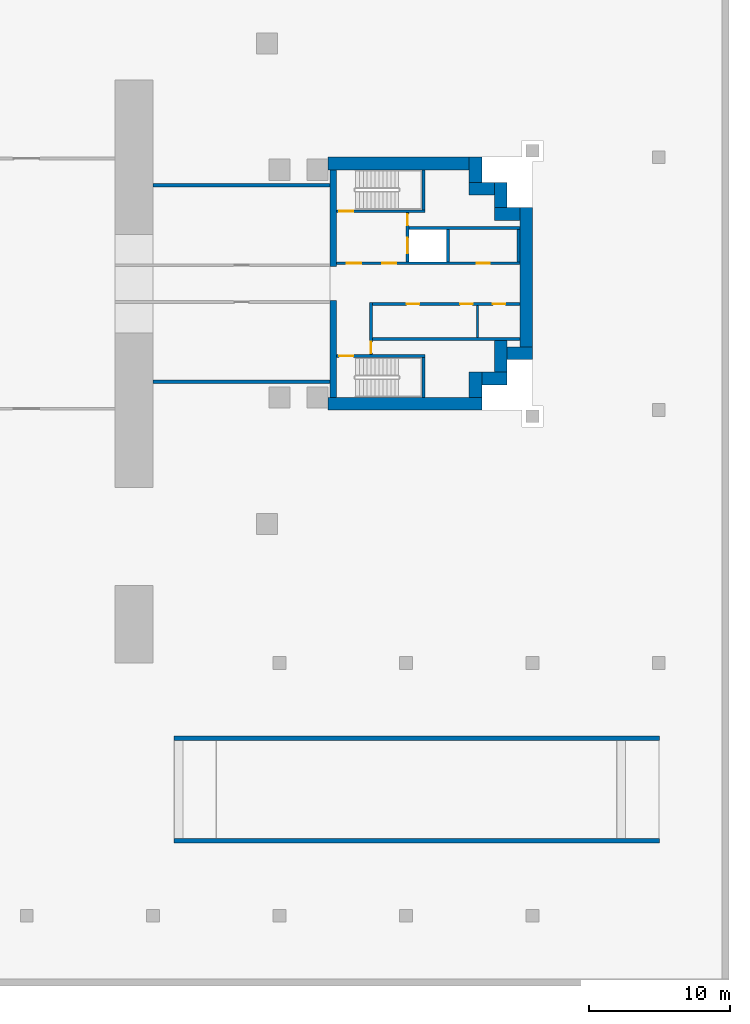
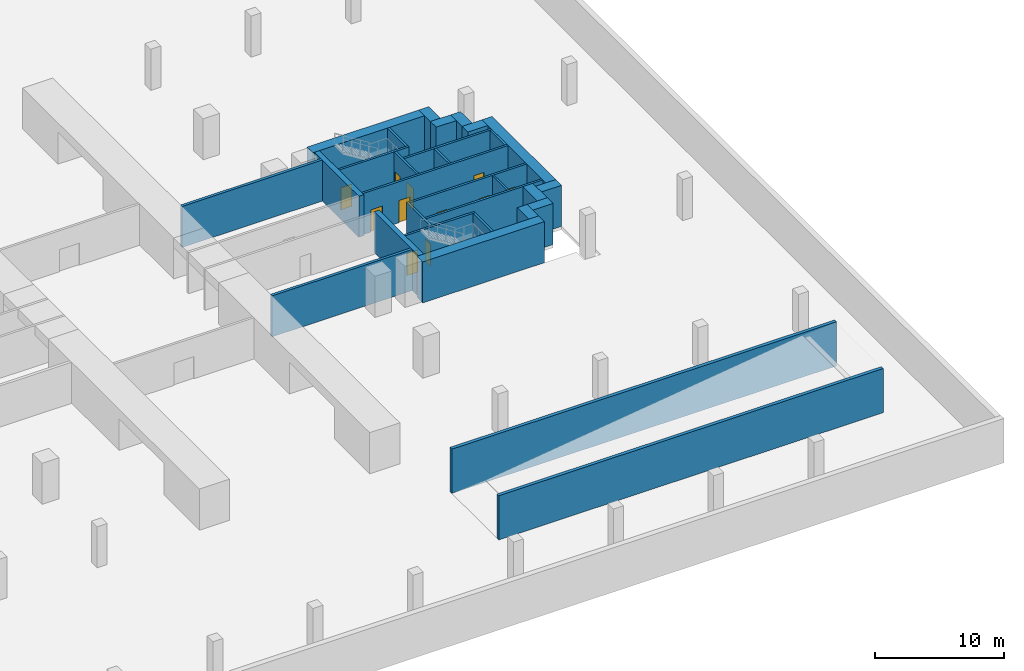
# One storey, part 5 of 8: 30 walls, 11 doors, 11 openings.
"""IFC4 building model written with IfcOpenShell, lengths in metres."""

import ifcopenshell
import ifcopenshell.guid

model = None  # the IFC model being written
_history = None  # IfcOwnerHistory: only IFC2X3 demands one
_inside = {}  # id of a spatial element -> (the spatial element, [elements in it])
_under = {}  # id of a project, library or spatial element -> (it, [spatial elements below it])
_declared = {}  # id of a project -> (the project, [libraries it declares])
_typed = {}  # id of a type object -> (the type object, [elements of that type])
_made_of = {}  # id of a material, layer set ... -> (it, [elements and type objects made of it])


def new_model(schema):
    """Start an empty IFC model of exactly this schema.

    Asked for "IFC4X3", IfcOpenShell would pick the latest addendum, in which some entities
    have other attributes; the version numbers below select the first issue.
    IFC2X3 requires an IfcOwnerHistory on every rooted entity: one is made here for all.
    """
    global model, _history
    if schema == "IFC4X3":
        model = ifcopenshell.file(schema_version=(4, 3, 0, 0))
    else:
        model = ifcopenshell.file(schema=schema)
    _inside.clear()
    _under.clear()
    _declared.clear()
    _typed.clear()
    _made_of.clear()
    _history = None
    if model.schema == "IFC2X3":
        org = make("IfcOrganization", Name="unknown")
        user = make(
            "IfcPersonAndOrganization",
            ThePerson=make("IfcPerson", FamilyName="unknown"),
            TheOrganization=org,
        )
        app = make(
            "IfcApplication",
            ApplicationDeveloper=org,
            Version="unknown",
            ApplicationFullName="unknown",
            ApplicationIdentifier="unknown",
        )
        _history = make(
            "IfcOwnerHistory",
            OwningUser=user,
            OwningApplication=app,
            ChangeAction="ADDED",
            CreationDate=0,
        )
    return model


def make(cls, **values):
    """One entity of the class cls with the attributes given. An attribute that is None is left unset."""
    return model.create_entity(
        cls, **{name: value for name, value in values.items() if value is not None}
    )


def rooted(cls, **values):
    """An entity with a GlobalId (a new one), such as an element, a storey or a relation."""
    return make(cls, GlobalId=ifcopenshell.guid.new(), OwnerHistory=_history, **values)


def si_unit(unit_type, name, prefix=None):
    """IfcSIUnit, for example si_unit("LENGTHUNIT", "METRE", prefix="MILLI")."""
    return make("IfcSIUnit", UnitType=unit_type, Prefix=prefix, Name=name)


def assignment(units):
    """IfcUnitAssignment: the units of a project."""
    return None if units is None else make("IfcUnitAssignment", Units=units)


def point(xyz):
    """IfcCartesianPoint."""
    return None if xyz is None else make("IfcCartesianPoint", Coordinates=xyz)


def direction(xyz):
    """IfcDirection."""
    return None if xyz is None else make("IfcDirection", DirectionRatios=xyz)


def frame(location, z_axis=None, x_axis=None):
    """IfcAxis2Placement3D, a coordinate frame: its origin and axes. An axis left out is left unset."""
    return make(
        "IfcAxis2Placement3D",
        Location=point(location),
        Axis=direction(z_axis),
        RefDirection=direction(x_axis),
    )


def frame_2d(location, x_axis=None):
    """IfcAxis2Placement2D, a coordinate frame in the plane: its origin and x axis."""
    return make(
        "IfcAxis2Placement2D", Location=point(location), RefDirection=direction(x_axis)
    )


def origin():
    """The frame at (0, 0, 0) with its axes left unset."""
    return frame((0.0, 0.0, 0.0))


def place(relative_to, where):
    """IfcLocalPlacement: puts the frame where relative to a parent placement (None: the world)."""
    return make(
        "IfcLocalPlacement", PlacementRelTo=relative_to, RelativePlacement=where
    )


def context(
    kind, dimensions, precision=None, world=None, true_north=None, identifier=None
):
    """IfcGeometricRepresentationContext, for example the 3D "Model" context."""
    return make(
        "IfcGeometricRepresentationContext",
        ContextIdentifier=identifier,
        ContextType=kind,
        CoordinateSpaceDimension=dimensions,
        Precision=precision,
        WorldCoordinateSystem=world,
        TrueNorth=true_north,
    )


def subcontext(parent, identifier, kind, view, scale=None):
    """IfcGeometricRepresentationSubContext, for example "Body" below "Model"."""
    return make(
        "IfcGeometricRepresentationSubContext",
        ContextIdentifier=identifier,
        ContextType=kind,
        ParentContext=parent,
        TargetScale=scale,
        TargetView=view,
    )


def project(units=None, contexts=None):
    """IfcProject with its units and contexts."""
    return rooted(
        "IfcProject",
        Name="project",
        RepresentationContexts=contexts,
        UnitsInContext=assignment(units),
    )


def spatial(cls, under=None, at=None, **own):
    """A site, building, storey or space (cls), placed at a placement, below another one or the project."""
    s = rooted(cls, ObjectPlacement=at, **own)
    if under is not None:
        _under.setdefault(under.id(), (under, []))[1].append(s)
    return s


def profile(cls, at=None, kind="AREA", **sizes):
    """A parametric profile (cls). Its sizes go by their IFC names, for example OverallWidth=200.0."""
    return make(cls, ProfileType=kind, Position=at, **sizes)


def rectangle(**sizes):
    """IfcRectangleProfileDef."""
    return profile("IfcRectangleProfileDef", **sizes)


def extrude(swept, where, along, depth):
    """IfcExtrudedAreaSolid: the profile swept, set in the frame where, extruded along a direction by depth."""
    return make(
        "IfcExtrudedAreaSolid",
        SweptArea=swept,
        Position=where,
        ExtrudedDirection=direction(along),
        Depth=depth,
    )


def shape(context_of_items, identifier, shape_type, items):
    """IfcShapeRepresentation: the items that make up one representation, for example the "Body"."""
    return make(
        "IfcShapeRepresentation",
        ContextOfItems=context_of_items,
        RepresentationIdentifier=identifier,
        RepresentationType=shape_type,
        Items=items,
    )


def material(Name=None, Category=None):
    """IfcMaterial."""
    return make("IfcMaterial", Name=Name, Category=Category)


def layer(
    of_material, thickness, ventilated=None, Name=None, Category=None, Priority=None
):
    """IfcMaterialLayer: one layer of a wall or slab, of a material (None: an air gap)."""
    return make(
        "IfcMaterialLayer",
        Material=of_material,
        LayerThickness=thickness,
        IsVentilated=ventilated,
        Name=Name,
        Category=Category,
        Priority=Priority,
    )


def layer_set(layers, Name=None):
    """IfcMaterialLayerSet."""
    return make("IfcMaterialLayerSet", MaterialLayers=layers, LayerSetName=Name)


def made_of(thing, what):
    """Note that an element or type object is made of a material, layer set ...; save() writes the relation."""
    if what is not None:
        _made_of.setdefault(what.id(), (what, []))[1].append(thing)
    return thing


def type_object(cls, material=None, **own):
    """A type object (cls), such as IfcWallType, which elements share."""
    return made_of(rooted(cls, **own), material)


def element(
    cls,
    number,
    at=None,
    inside=None,
    cuts=None,
    type_object=None,
    material=None,
    context=None,
    identifier="Body",
    shape_type=None,
    held_by="IfcProductDefinitionShape",
    body=None,
    shapes=None,
    **own,
):
    """One element of the class cls, such as IfcWall. Its Tag is "e" and its number.

    at: its placement. inside: the storey or other place that contains it. cuts: it is an
    opening in that element (IfcRelVoidsElement). A single representation is given by context,
    identifier, shape_type and body (its items); several are given by shapes. held_by: the class
    of the entity that holds the representations. save() writes the other relations.
    """
    e = rooted(cls, Tag="e%d" % number, ObjectPlacement=at, **own)
    if body is not None:
        shapes = [shape(context, identifier, shape_type, body)]
    if shapes is not None:
        e.Representation = make(held_by, Representations=shapes)
    if inside is not None:
        _inside.setdefault(inside.id(), (inside, []))[1].append(e)
    if cuts is not None:
        rooted(
            "IfcRelVoidsElement", RelatingBuildingElement=cuts, RelatedOpeningElement=e
        )
    if type_object is not None:
        _typed.setdefault(type_object.id(), (type_object, []))[1].append(e)
    return made_of(e, material)


def fill(opening, filler):
    """IfcRelFillsElement: the door or window that sits in an opening."""
    return rooted(
        "IfcRelFillsElement",
        RelatingOpeningElement=opening,
        RelatedBuildingElement=filler,
    )


def aggregate(whole, parts):
    """IfcRelAggregates: a whole, such as a stair, and the parts it consists of."""
    return rooted("IfcRelAggregates", RelatingObject=whole, RelatedObjects=parts)


def save(model, path):
    """Write the relations noted so far, then the file.

    IfcRelAggregates (storeys below a building ...), IfcRelContainedInSpatialStructure (elements
    in a storey), IfcRelDefinesByType, IfcRelAssociatesMaterial and IfcRelDeclares: one each for
    every whole, place, type object, material and project.
    """
    for whole, parts in _under.values():
        aggregate(whole, parts)
    for where, things in _inside.values():
        rooted(
            "IfcRelContainedInSpatialStructure",
            RelatedElements=things,
            RelatingStructure=where,
        )
    for kind, things in _typed.values():
        rooted("IfcRelDefinesByType", RelatedObjects=things, RelatingType=kind)
    for what, things in _made_of.values():
        rooted("IfcRelAssociatesMaterial", RelatedObjects=things, RelatingMaterial=what)
    for by, libraries in _declared.values():
        rooted("IfcRelDeclares", RelatingContext=by, RelatedDefinitions=libraries)
    model.write(path)


model = new_model("IFC4")

# Units and contexts
model_context = context("Model", 3, precision=1e-05, world=origin(), true_north=direction((0.0, 1.0)))
body_context = subcontext(model_context, "Body", "Model", "MODEL_VIEW")
ifc_project = project(units=[si_unit("LENGTHUNIT", "METRE"), si_unit("AREAUNIT", "SQUARE_METRE"), si_unit("VOLUMEUNIT", "CUBIC_METRE"), si_unit("PLANEANGLEUNIT", "RADIAN"), si_unit("MASSUNIT", "GRAM", prefix="KILO")], contexts=[model_context])

# Site, building, storey
site_placement = place(None, origin())
site = spatial("IfcSite", under=ifc_project, at=site_placement, CompositionType="ELEMENT")
building_placement = place(site_placement, origin())
building = spatial("IfcBuilding", under=site, at=building_placement, Name="Perihelion Cross Residences", CompositionType="ELEMENT")
storey_placement = place(building_placement, frame((0.0, 0.0, -12.89990234375)))
storey = spatial("IfcBuildingStorey", under=building, at=storey_placement, Name="B3", CompositionType="ELEMENT", Elevation=-12.89990234375)

# Walls
ifc_material_1 = material(Name="Concrete C40/50", Category="concrete")
ifc_layer_1 = layer(ifc_material_1, 0.25)
ifc_layer_set_1 = layer_set([ifc_layer_1], Name="Basement enclosure wall 250")
wall_type_1 = type_object("IfcWallType", Name="Basement enclosure wall 250", PredefinedType="SOLIDWALL", material=ifc_layer_set_1)
for number, where, z_axis, x_axis, name in (
    (1, (9.0, 7.0, 0.0), (0.0, 0.0, 1.0), (1.0, 0.0, 0.0), "Basement enclosure wall B3 e.encl.n"),
    (2, (9.0, -7.0, 0.0), (0.0, 0.0, 1.0), (1.0, 0.0, 0.0), "Basement enclosure wall B3 e.encl.s"),
):
    element("IfcWall", number, at=place(storey_placement, frame(where, z_axis=z_axis, x_axis=x_axis)), inside=storey, type_object=wall_type_1, Name=name, PredefinedType="SOLIDWALL", context=body_context, shape_type="SweptSolid", body=[
        extrude(rectangle(XDim=12.60009765625, YDim=0.25, at=frame_2d((6.300048828125, 0.0))), origin(), (0.0, 0.0, 1.0), 3.89990234375),
    ])
ifc_material_2 = material(Name="Concrete C60/75", Category="concrete")
ifc_layer_2 = layer(ifc_material_2, 0.449951171875)
ifc_layer_set_2 = layer_set([ifc_layer_2], Name="Core wall, inner 450")
wall_type_2 = type_object("IfcWallType", Name="Core wall, inner 450", PredefinedType="SHEAR", material=ifc_layer_set_2)
for number, where, z_axis, x_axis, name in (
    (3, (21.824951171875, -8.10009765625, 0.0), (0.0, 0.0, 1.0), (0.0, 1.0, 0.0), "East core core wall, inner"),
    (4, (21.824951171875, 1.199951171875, 0.0), (0.0, 0.0, 1.0), (0.0, 1.0, 0.0), "East core core wall, inner"),
):
    element("IfcWall", number, at=place(storey_placement, frame(where, z_axis=z_axis, x_axis=x_axis)), inside=storey, type_object=wall_type_2, Name=name, PredefinedType="SHEAR", context=body_context, shape_type="SweptSolid", body=[
        extrude(rectangle(XDim=6.900146484375, YDim=0.449951171875, at=frame_2d((3.4501953125, 0.0))), origin(), (0.0, 0.0, 1.0), 3.89990234375),
    ])
ifc_material_3 = material(Name="Concrete C60/75", Category="concrete")
ifc_layer_3 = layer(ifc_material_3, 0.89990234375)
ifc_layer_set_3 = layer_set([ifc_layer_3], Name="Core wall, outer 900")
wall_type_3 = type_object("IfcWallType", Name="Core wall, outer 900", PredefinedType="SHEAR", material=ifc_layer_set_3)
wall_1_placement = place(storey_placement, frame((21.449951171875, -8.550048828125, 0.0), z_axis=(0.0, 0.0, 1.0), x_axis=(1.0, 0.0, 0.0)))
element("IfcWall", 5, at=wall_1_placement, inside=storey, type_object=wall_type_3, Name="East core core wall, outer", PredefinedType="SHEAR", context=body_context, shape_type="SweptSolid", body=[
    extrude(rectangle(XDim=10.949951171875, YDim=0.89990234375, at=frame_2d((5.47509765625, 0.0))), origin(), (0.0, 0.0, 1.0), 3.89990234375),
])
for number, where, z_axis, x_axis, name in (
    (6, (31.949951171875, -8.10009765625, 0.0), (0.0, 0.0, 1.0), (0.0, 1.0, 0.0), "East core core wall, outer"),
    (7, (32.39990234375, -6.75, 0.0), (0.0, 0.0, 1.0), (1.0, 0.0, 0.0), "East core core wall, outer"),
):
    element("IfcWall", number, at=place(storey_placement, frame(where, z_axis=z_axis, x_axis=x_axis)), inside=storey, type_object=wall_type_3, Name=name, PredefinedType="SHEAR", context=body_context, shape_type="SweptSolid", body=[
        extrude(rectangle(XDim=1.800048828125, YDim=0.89990234375, at=frame_2d((0.89990234375, 0.0))), origin(), (0.0, 0.0, 1.0), 3.89990234375),
    ])
wall_2_placement = place(storey_placement, frame((33.75, -6.300048828125, 0.0), z_axis=(0.0, 0.0, 1.0), x_axis=(0.0, 1.0, 0.0)))
element("IfcWall", 8, at=wall_2_placement, inside=storey, type_object=wall_type_3, Name="East core core wall, outer", PredefinedType="SHEAR", context=body_context, shape_type="SweptSolid", body=[
    extrude(rectangle(XDim=2.25, YDim=0.89990234375, at=frame_2d((1.125, 0.0))), origin(), (0.0, 0.0, 1.0), 3.89990234375),
])
wall_3_placement = place(storey_placement, frame((34.199951171875, -4.949951171875, 0.0), z_axis=(0.0, 0.0, 1.0), x_axis=(1.0, 0.0, 0.0)))
element("IfcWall", 9, at=wall_3_placement, inside=storey, type_object=wall_type_3, Name="East core core wall, outer", PredefinedType="SHEAR", context=body_context, shape_type="SweptSolid", body=[
    extrude(rectangle(XDim=1.800048828125, YDim=0.89990234375, at=frame_2d((0.89990234375, 0.0))), origin(), (0.0, 0.0, 1.0), 3.89990234375),
])
wall_4_placement = place(storey_placement, frame((35.550048828125, -4.5, 0.0), z_axis=(0.0, 0.0, 1.0), x_axis=(0.0, 1.0, 0.0)))
element("IfcWall", 10, at=wall_4_placement, inside=storey, type_object=wall_type_3, Name="East core core wall, outer", PredefinedType="SHEAR", context=body_context, shape_type="SweptSolid", body=[
    extrude(rectangle(XDim=9.89990234375, YDim=0.89990234375, at=frame_2d((4.949951171875, 0.0))), origin(), (0.0, 0.0, 1.0), 3.89990234375),
])
for number, where, z_axis, x_axis, name in (
    (11, (33.300048828125, 4.949951171875, 0.0), (0.0, 0.0, 1.0), (1.0, 0.0, 0.0), "East core core wall, outer"),
    (12, (33.75, 5.39990234375, 0.0), (0.0, 0.0, 1.0), (0.0, 1.0, 0.0), "East core core wall, outer"),
    (13, (31.5, 6.75, 0.0), (0.0, 0.0, 1.0), (1.0, 0.0, 0.0), "East core core wall, outer"),
    (14, (31.949951171875, 7.199951171875, 0.0), (0.0, 0.0, 1.0), (0.0, 1.0, 0.0), "East core core wall, outer"),
):
    element("IfcWall", number, at=place(storey_placement, frame(where, z_axis=z_axis, x_axis=x_axis)), inside=storey, type_object=wall_type_3, Name=name, PredefinedType="SHEAR", context=body_context, shape_type="SweptSolid", body=[
        extrude(rectangle(XDim=1.800048828125, YDim=0.89990234375, at=frame_2d((0.89990234375, 0.0))), origin(), (0.0, 0.0, 1.0), 3.89990234375),
    ])
wall_5_placement = place(storey_placement, frame((21.449951171875, 8.550048828125, 0.0), z_axis=(0.0, 0.0, 1.0), x_axis=(1.0, 0.0, 0.0)))
element("IfcWall", 15, at=wall_5_placement, inside=storey, type_object=wall_type_3, Name="East core core wall, outer", PredefinedType="SHEAR", context=body_context, shape_type="SweptSolid", body=[
    extrude(rectangle(XDim=10.050048828125, YDim=0.89990234375, at=frame_2d((5.02490234375, 0.0))), origin(), (0.0, 0.0, 1.0), 3.89990234375),
])

# Wall, opening, door
ifc_material_4 = material(Name="Concrete C50/60", Category="concrete")
ifc_layer_4 = layer(ifc_material_4, 0.199951171875)
ifc_layer_set_4 = layer_set([ifc_layer_4], Name="Lobby wall 200")
wall_type_4 = type_object("IfcWallType", Name="Lobby wall 200", PredefinedType="SOLIDWALL", material=ifc_layer_set_4)
wall_6_placement = place(storey_placement, frame((24.5, -5.050048828125, 0.0), z_axis=(0.0, 0.0, 1.0), x_axis=(0.0, 1.0, 0.0)))
wall_6 = element("IfcWall", 16, at=wall_6_placement, inside=storey, type_object=wall_type_4, Name="East core lobby wall", PredefinedType="SOLIDWALL", context=body_context, shape_type="SweptSolid", body=[
    extrude(rectangle(XDim=3.699951171875, YDim=0.199951171875, at=frame_2d((1.85009765625, 0.0))), origin(), (0.0, 0.0, 1.0), 3.89990234375),
])
opening_1_placement = place(wall_6_placement, frame((0.10009765625, 0.0, 0.0)))
opening_1 = element("IfcOpeningElement", 17, at=opening_1_placement, cuts=wall_6, Name="Opening B3.C05", PredefinedType="OPENING", context=body_context, shape_type="SweptSolid", body=[
    extrude(rectangle(XDim=0.800048828125, YDim=2.10009765625, at=frame_2d((0.39990234375, 1.050048828125))), frame((0.0, 0.10986328125, 0.0), z_axis=(0.0, -1.0, 0.0), x_axis=(1.0, 0.0, 0.0)), (0.0, 0.0, 1.0), 0.219970703125),
])
ifc_material_5 = material(Name="Steel, powder coated", Category="steel")
door_type_1 = type_object("IfcDoorType", Name="Riser door 800", OperationType="SINGLE_SWING_LEFT", PredefinedType="DOOR", material=ifc_material_5)
door_1_placement = place(opening_1_placement, origin())
door_1 = element("IfcDoor", 18, at=door_1_placement, inside=storey, type_object=door_type_1, Name="East core riser door", OperationType="SINGLE_SWING_LEFT", OverallHeight=2.10009765625, OverallWidth=0.800048828125, PredefinedType="DOOR", context=body_context, shape_type="SweptSolid", body=[
    extrude(rectangle(XDim=0.800048828125, YDim=2.10009765625, at=frame_2d((0.39990234375, 1.050048828125))), frame((0.0, 0.02490234375, 0.0), z_axis=(0.0, -1.0, 0.0), x_axis=(1.0, 0.0, 0.0)), (0.0, 0.0, 1.0), 0.050048828125),
])
fill(opening_1, door_1)

# Walls
ifc_material_6 = material(Name="Concrete C40/50", Category="concrete")
ifc_layer_5 = layer(ifc_material_6, 0.300048828125)
ifc_layer_set_5 = layer_set([ifc_layer_5], Name="Ramp side wall 300")
wall_type_5 = type_object("IfcWallType", Name="Ramp side wall 300", PredefinedType="SOLIDWALL", material=ifc_layer_set_5)
for number, where, z_axis, x_axis, name in (
    (19, (10.5, -39.64990234375, 0.0), (0.0, 0.0, 1.0), (1.0, 0.0, 0.0), "Ramp side wall B3 s"),
    (20, (10.5, -32.35009765625, 0.0), (0.0, 0.0, 1.0), (1.0, 0.0, 0.0), "Ramp side wall B3 n"),
):
    element("IfcWall", number, at=place(storey_placement, frame(where, z_axis=z_axis, x_axis=x_axis)), inside=storey, type_object=wall_type_5, Name=name, PredefinedType="SOLIDWALL", context=body_context, shape_type="SweptSolid", body=[
        extrude(rectangle(XDim=34.550048828125, YDim=0.300048828125, at=frame_2d((17.27490234375, 0.0))), origin(), (0.0, 0.0, 1.0), 4.199951171875),
    ])
ifc_material_7 = material(Name="Fire-rated board on steel stud", Category="steel")
ifc_layer_6 = layer(ifc_material_7, 0.14990234375)
ifc_layer_set_6 = layer_set([ifc_layer_6], Name="Riser wall 150")
wall_type_6 = type_object("IfcWallType", Name="Riser wall 150", PredefinedType="PARTITIONING", material=ifc_layer_set_6)
wall_7_placement = place(storey_placement, frame((32.074951171875, -3.85009765625, 0.0), z_axis=(0.0, 0.0, 1.0), x_axis=(0.0, 1.0, 0.0)))
element("IfcWall", 21, at=wall_7_placement, inside=storey, type_object=wall_type_6, Name="East core riser wall", PredefinedType="PARTITIONING", context=body_context, shape_type="SweptSolid", body=[
    extrude(rectangle(XDim=2.300048828125, YDim=0.14990234375, at=frame_2d((1.14990234375, 0.0))), origin(), (0.0, 0.0, 1.0), 3.89990234375),
])

# Wall, openings, doors
ifc_material_8 = material(Name="Concrete C50/60", Category="concrete")
ifc_layer_7 = layer(ifc_material_8, 0.199951171875)
ifc_layer_set_7 = layer_set([ifc_layer_7], Name="Shaft wall 200")
wall_type_7 = type_object("IfcWallType", Name="Shaft wall 200", PredefinedType="SOLIDWALL", material=ifc_layer_set_7)
wall_8_placement = place(storey_placement, frame((22.050048828125, 1.449951171875, 0.0), z_axis=(0.0, 0.0, 1.0), x_axis=(1.0, 0.0, 0.0)))
wall_8 = element("IfcWall", 22, at=wall_8_placement, inside=storey, type_object=wall_type_7, Name="East core shaft wall", PredefinedType="SOLIDWALL", context=body_context, shape_type="SweptSolid", body=[
    extrude(rectangle(XDim=13.050048828125, YDim=0.199951171875, at=frame_2d((6.52490234375, 0.0))), origin(), (0.0, 0.0, 1.0), 3.89990234375),
])
opening_2_placement = place(wall_8_placement, frame((0.75, 0.0, 0.0)))
opening_2 = element("IfcOpeningElement", 23, at=opening_2_placement, cuts=wall_8, Name="Opening B3.C04", PredefinedType="OPENING", context=body_context, shape_type="SweptSolid", body=[
    extrude(rectangle(XDim=1.0, YDim=2.10009765625, at=frame_2d((0.5, 1.050048828125))), frame((0.0, 0.10986328125, 0.0), z_axis=(0.0, -1.0, 0.0), x_axis=(1.0, 0.0, 0.0)), (0.0, 0.0, 1.0), 0.219970703125),
])
opening_3_placement = place(wall_8_placement, frame((3.25, 0.0, 0.0)))
opening_3 = element("IfcOpeningElement", 24, at=opening_3_placement, cuts=wall_8, Name="Opening B3.C06", PredefinedType="OPENING", context=body_context, shape_type="SweptSolid", body=[
    extrude(rectangle(XDim=1.0, YDim=2.10009765625, at=frame_2d((0.5, 1.050048828125))), frame((0.0, 0.10986328125, 0.0), z_axis=(0.0, -1.0, 0.0), x_axis=(1.0, 0.0, 0.0)), (0.0, 0.0, 1.0), 0.219970703125),
])
opening_4_placement = place(wall_8_placement, frame((10.0, 0.0, 0.0)))
opening_4 = element("IfcOpeningElement", 25, at=opening_4_placement, cuts=wall_8, Name="Opening B3.C10", PredefinedType="OPENING", context=body_context, shape_type="SweptSolid", body=[
    extrude(rectangle(XDim=0.89990234375, YDim=2.10009765625, at=frame_2d((0.449951171875, 1.050048828125))), frame((0.0, 0.10986328125, 0.0), z_axis=(0.0, -1.0, 0.0), x_axis=(1.0, 0.0, 0.0)), (0.0, 0.0, 1.0), 0.219970703125),
])
ifc_material_9 = material(Name="Steel, powder coated", Category="steel")
door_type_2 = type_object("IfcDoorType", Name="Lobby door 1000", OperationType="SINGLE_SWING_LEFT", PredefinedType="DOOR", material=ifc_material_9)
door_2_placement = place(opening_2_placement, origin())
door_2 = element("IfcDoor", 26, at=door_2_placement, inside=storey, type_object=door_type_2, Name="East core firefighting lobby door", OperationType="SINGLE_SWING_LEFT", OverallHeight=2.10009765625, OverallWidth=1.0, PredefinedType="DOOR", context=body_context, shape_type="SweptSolid", body=[
    extrude(rectangle(XDim=1.0, YDim=2.10009765625, at=frame_2d((0.5, 1.050048828125))), frame((0.0, 0.02490234375, 0.0), z_axis=(0.0, -1.0, 0.0), x_axis=(1.0, 0.0, 0.0)), (0.0, 0.0, 1.0), 0.050048828125),
])
fill(opening_2, door_2)
door_3_placement = place(opening_3_placement, origin())
door_3 = element("IfcDoor", 27, at=door_3_placement, inside=storey, type_object=door_type_2, Name="East core firefighting lobby door", OperationType="SINGLE_SWING_LEFT", OverallHeight=2.10009765625, OverallWidth=1.0, PredefinedType="DOOR", context=body_context, shape_type="SweptSolid", body=[
    extrude(rectangle(XDim=1.0, YDim=2.10009765625, at=frame_2d((0.5, 1.050048828125))), frame((0.0, 0.02490234375, 0.0), z_axis=(0.0, -1.0, 0.0), x_axis=(1.0, 0.0, 0.0)), (0.0, 0.0, 1.0), 0.050048828125),
])
fill(opening_3, door_3)
ifc_material_10 = material(Name="Steel, powder coated", Category="steel")
door_type_3 = type_object("IfcDoorType", Name="Service room door 900", OperationType="SINGLE_SWING_LEFT", PredefinedType="DOOR", material=ifc_material_10)
door_4_placement = place(opening_4_placement, origin())
door_4 = element("IfcDoor", 28, at=door_4_placement, inside=storey, type_object=door_type_3, Name="East core service room door", OperationType="SINGLE_SWING_LEFT", OverallHeight=2.10009765625, OverallWidth=0.89990234375, PredefinedType="DOOR", context=body_context, shape_type="SweptSolid", body=[
    extrude(rectangle(XDim=0.89990234375, YDim=2.10009765625, at=frame_2d((0.449951171875, 1.050048828125))), frame((0.0, 0.02490234375, 0.0), z_axis=(0.0, -1.0, 0.0), x_axis=(1.0, 0.0, 0.0)), (0.0, 0.0, 1.0), 0.050048828125),
])
fill(opening_4, door_4)

wall_9_placement = place(storey_placement, frame((24.60009765625, -1.449951171875, 0.0), z_axis=(0.0, 0.0, 1.0), x_axis=(1.0, 0.0, 0.0)))
wall_9 = element("IfcWall", 29, at=wall_9_placement, inside=storey, type_object=wall_type_7, Name="East core shaft wall", PredefinedType="SOLIDWALL", context=body_context, shape_type="SweptSolid", body=[
    extrude(rectangle(XDim=10.5, YDim=0.199951171875, at=frame_2d((5.25, 0.0))), origin(), (0.0, 0.0, 1.0), 3.89990234375),
])
opening_5_placement = place(wall_9_placement, frame((2.449951171875, 0.0, 0.0)))
opening_5 = element("IfcOpeningElement", 30, at=opening_5_placement, cuts=wall_9, Name="Opening B3.C08", PredefinedType="OPENING", context=body_context, shape_type="SweptSolid", body=[
    extrude(rectangle(XDim=0.89990234375, YDim=2.10009765625, at=frame_2d((0.449951171875, 1.050048828125))), frame((0.0, 0.10986328125, 0.0), z_axis=(0.0, -1.0, 0.0), x_axis=(1.0, 0.0, 0.0)), (0.0, 0.0, 1.0), 0.219970703125),
])
opening_6_placement = place(wall_9_placement, frame((6.25, 0.0, 0.0)))
opening_6 = element("IfcOpeningElement", 31, at=opening_6_placement, cuts=wall_9, Name="Opening B3.C09", PredefinedType="OPENING", context=body_context, shape_type="SweptSolid", body=[
    extrude(rectangle(XDim=0.89990234375, YDim=2.10009765625, at=frame_2d((0.449951171875, 1.050048828125))), frame((0.0, 0.10986328125, 0.0), z_axis=(0.0, -1.0, 0.0), x_axis=(1.0, 0.0, 0.0)), (0.0, 0.0, 1.0), 0.219970703125),
])
opening_7_placement = place(wall_9_placement, frame((8.574951171875, 0.0, 0.0)))
opening_7 = element("IfcOpeningElement", 32, at=opening_7_placement, cuts=wall_9, Name="Opening B3.C11", PredefinedType="OPENING", context=body_context, shape_type="SweptSolid", body=[
    extrude(rectangle(XDim=0.89990234375, YDim=2.10009765625, at=frame_2d((0.449951171875, 1.050048828125))), frame((0.0, 0.10986328125, 0.0), z_axis=(0.0, -1.0, 0.0), x_axis=(1.0, 0.0, 0.0)), (0.0, 0.0, 1.0), 0.219970703125),
])
door_5_placement = place(opening_5_placement, origin())
door_5 = element("IfcDoor", 33, at=door_5_placement, inside=storey, type_object=door_type_3, Name="East core service room door", OperationType="SINGLE_SWING_LEFT", OverallHeight=2.10009765625, OverallWidth=0.89990234375, PredefinedType="DOOR", context=body_context, shape_type="SweptSolid", body=[
    extrude(rectangle(XDim=0.89990234375, YDim=2.10009765625, at=frame_2d((0.449951171875, 1.050048828125))), frame((0.0, 0.02490234375, 0.0), z_axis=(0.0, -1.0, 0.0), x_axis=(1.0, 0.0, 0.0)), (0.0, 0.0, 1.0), 0.050048828125),
])
fill(opening_5, door_5)
door_6_placement = place(opening_6_placement, origin())
door_6 = element("IfcDoor", 34, at=door_6_placement, inside=storey, type_object=door_type_3, Name="East core service room door", OperationType="SINGLE_SWING_LEFT", OverallHeight=2.10009765625, OverallWidth=0.89990234375, PredefinedType="DOOR", context=body_context, shape_type="SweptSolid", body=[
    extrude(rectangle(XDim=0.89990234375, YDim=2.10009765625, at=frame_2d((0.449951171875, 1.050048828125))), frame((0.0, 0.02490234375, 0.0), z_axis=(0.0, -1.0, 0.0), x_axis=(1.0, 0.0, 0.0)), (0.0, 0.0, 1.0), 0.050048828125),
])
fill(opening_6, door_6)
door_7_placement = place(opening_7_placement, origin())
door_7 = element("IfcDoor", 35, at=door_7_placement, inside=storey, type_object=door_type_3, Name="East core service room door", OperationType="SINGLE_SWING_LEFT", OverallHeight=2.10009765625, OverallWidth=0.89990234375, PredefinedType="DOOR", context=body_context, shape_type="SweptSolid", body=[
    extrude(rectangle(XDim=0.89990234375, YDim=2.10009765625, at=frame_2d((0.449951171875, 1.050048828125))), frame((0.0, 0.02490234375, 0.0), z_axis=(0.0, -1.0, 0.0), x_axis=(1.0, 0.0, 0.0)), (0.0, 0.0, 1.0), 0.050048828125),
])
fill(opening_7, door_7)

# Walls
wall_10_placement = place(storey_placement, frame((27.199951171875, 3.949951171875, 0.0), z_axis=(0.0, 0.0, 1.0), x_axis=(1.0, 0.0, 0.0)))
element("IfcWall", 36, at=wall_10_placement, inside=storey, type_object=wall_type_7, Name="East core shaft wall", PredefinedType="SOLIDWALL", context=body_context, shape_type="SweptSolid", body=[
    extrude(rectangle(XDim=7.900146484375, YDim=0.199951171875, at=frame_2d((3.9501953125, 0.0))), origin(), (0.0, 0.0, 1.0), 3.89990234375),
])
wall_11_placement = place(storey_placement, frame((24.60009765625, -3.949951171875, 0.0), z_axis=(0.0, 0.0, 1.0), x_axis=(1.0, 0.0, 0.0)))
element("IfcWall", 37, at=wall_11_placement, inside=storey, type_object=wall_type_7, Name="East core shaft wall", PredefinedType="SOLIDWALL", context=body_context, shape_type="SweptSolid", body=[
    extrude(rectangle(XDim=10.5, YDim=0.199951171875, at=frame_2d((5.25, 0.0))), origin(), (0.0, 0.0, 1.0), 3.89990234375),
])

# Wall, openings, doors
wall_12_placement = place(storey_placement, frame((27.10009765625, 1.550048828125, 0.0), z_axis=(0.0, 0.0, 1.0), x_axis=(0.0, 1.0, 0.0)))
wall_12 = element("IfcWall", 38, at=wall_12_placement, inside=storey, type_object=wall_type_7, Name="East core shaft wall", PredefinedType="SOLIDWALL", context=body_context, shape_type="SweptSolid", body=[
    extrude(rectangle(XDim=3.5, YDim=0.199951171875, at=frame_2d((1.75, 0.0))), origin(), (0.0, 0.0, 1.0), 3.89990234375),
])
opening_8_placement = place(wall_12_placement, frame((0.60009765625, 0.0, 0.0)))
opening_8 = element("IfcOpeningElement", 39, at=opening_8_placement, cuts=wall_12, Name="Opening B3.C01", PredefinedType="OPENING", context=body_context, shape_type="SweptSolid", body=[
    extrude(rectangle(XDim=1.10009765625, YDim=2.10009765625, at=frame_2d((0.550048828125, 1.050048828125))), frame((0.0, 0.10986328125, 0.0), z_axis=(0.0, -1.0, 0.0), x_axis=(1.0, 0.0, 0.0)), (0.0, 0.0, 1.0), 0.219970703125),
])
opening_9_placement = place(wall_12_placement, frame((2.60009765625, 0.0, 0.0)))
opening_9 = element("IfcOpeningElement", 40, at=opening_9_placement, cuts=wall_12, Name="Opening B3.C07", PredefinedType="OPENING", context=body_context, shape_type="SweptSolid", body=[
    extrude(rectangle(XDim=0.800048828125, YDim=2.10009765625, at=frame_2d((0.39990234375, 1.050048828125))), frame((0.0, 0.10986328125, 0.0), z_axis=(0.0, -1.0, 0.0), x_axis=(1.0, 0.0, 0.0)), (0.0, 0.0, 1.0), 0.219970703125),
])
ifc_material_11 = material(Name="Stainless steel", Category="steel")
door_type_4 = type_object("IfcDoorType", Name="Landing door, firefighting lift 1100", OperationType="DOUBLE_DOOR_SLIDING", PredefinedType="DOOR", material=ifc_material_11)
door_8_placement = place(opening_8_placement, origin())
door_8 = element("IfcDoor", 41, at=door_8_placement, inside=storey, type_object=door_type_4, Name="Landing door, East core firefighting and service lift", OperationType="DOUBLE_DOOR_SLIDING", OverallHeight=2.10009765625, OverallWidth=1.10009765625, PredefinedType="DOOR", context=body_context, shape_type="SweptSolid", body=[
    extrude(rectangle(XDim=1.10009765625, YDim=2.10009765625, at=frame_2d((0.550048828125, 1.050048828125))), frame((0.0, 0.02490234375, 0.0), z_axis=(0.0, -1.0, 0.0), x_axis=(1.0, 0.0, 0.0)), (0.0, 0.0, 1.0), 0.050048828125),
])
fill(opening_8, door_8)
door_9_placement = place(opening_9_placement, origin())
door_9 = element("IfcDoor", 42, at=door_9_placement, inside=storey, type_object=door_type_1, Name="East core riser door", OperationType="SINGLE_SWING_LEFT", OverallHeight=2.10009765625, OverallWidth=0.800048828125, PredefinedType="DOOR", context=body_context, shape_type="SweptSolid", body=[
    extrude(rectangle(XDim=0.800048828125, YDim=2.10009765625, at=frame_2d((0.39990234375, 1.050048828125))), frame((0.0, 0.02490234375, 0.0), z_axis=(0.0, -1.0, 0.0), x_axis=(1.0, 0.0, 0.0)), (0.0, 0.0, 1.0), 0.050048828125),
])
fill(opening_9, door_9)

# Walls
for number, where, z_axis, x_axis, name in (
    (43, (30.0, 1.550048828125, 0.0), (0.0, 0.0, 1.0), (0.0, 1.0, 0.0), "East core shaft wall"),
    (44, (35.0, 1.550048828125, 0.0), (0.0, 0.0, 1.0), (0.0, 1.0, 0.0), "East core shaft wall"),
):
    element("IfcWall", number, at=place(storey_placement, frame(where, z_axis=z_axis, x_axis=x_axis)), inside=storey, type_object=wall_type_7, Name=name, PredefinedType="SOLIDWALL", context=body_context, shape_type="SweptSolid", body=[
        extrude(rectangle(XDim=2.300048828125, YDim=0.199951171875, at=frame_2d((1.14990234375, 0.0))), origin(), (0.0, 0.0, 1.0), 3.89990234375),
    ])

# Wall, opening, door
ifc_material_12 = material(Name="Concrete C50/60", Category="concrete")
ifc_layer_8 = layer(ifc_material_12, 0.199951171875)
ifc_layer_set_8 = layer_set([ifc_layer_8], Name="Stair wall 200")
wall_type_8 = type_object("IfcWallType", Name="Stair wall 200", PredefinedType="SOLIDWALL", material=ifc_layer_set_8)
wall_13_placement = place(storey_placement, frame((22.050048828125, 5.14990234375, 0.0), z_axis=(0.0, 0.0, 1.0), x_axis=(1.0, 0.0, 0.0)))
wall_13 = element("IfcWall", 45, at=wall_13_placement, inside=storey, type_object=wall_type_8, Name="East core stair wall", PredefinedType="SOLIDWALL", context=body_context, shape_type="SweptSolid", body=[
    extrude(rectangle(XDim=6.300048828125, YDim=0.199951171875, at=frame_2d((3.14990234375, 0.0))), origin(), (0.0, 0.0, 1.0), 3.89990234375),
])
opening_10_placement = place(wall_13_placement, frame((0.199951171875, 0.0, 0.0)))
opening_10 = element("IfcOpeningElement", 46, at=opening_10_placement, cuts=wall_13, Name="Opening B3.C03", PredefinedType="OPENING", context=body_context, shape_type="SweptSolid", body=[
    extrude(rectangle(XDim=1.0, YDim=2.10009765625, at=frame_2d((0.5, 1.050048828125))), frame((0.0, 0.10986328125, 0.0), z_axis=(0.0, -1.0, 0.0), x_axis=(1.0, 0.0, 0.0)), (0.0, 0.0, 1.0), 0.219970703125),
])
ifc_material_13 = material(Name="Steel, powder coated", Category="steel")
door_type_5 = type_object("IfcDoorType", Name="Stair door 1000", OperationType="SINGLE_SWING_LEFT", PredefinedType="DOOR", material=ifc_material_13)
door_10_placement = place(opening_10_placement, origin())
door_10 = element("IfcDoor", 47, at=door_10_placement, inside=storey, type_object=door_type_5, Name="East core stair door", OperationType="SINGLE_SWING_LEFT", OverallHeight=2.10009765625, OverallWidth=1.0, PredefinedType="DOOR", context=body_context, shape_type="SweptSolid", body=[
    extrude(rectangle(XDim=1.0, YDim=2.10009765625, at=frame_2d((0.5, 1.050048828125))), frame((0.0, 0.02490234375, 0.0), z_axis=(0.0, -1.0, 0.0), x_axis=(1.0, 0.0, 0.0)), (0.0, 0.0, 1.0), 0.050048828125),
])
fill(opening_10, door_10)

wall_14_placement = place(storey_placement, frame((22.050048828125, -5.14990234375, 0.0), z_axis=(0.0, 0.0, 1.0), x_axis=(1.0, 0.0, 0.0)))
wall_14 = element("IfcWall", 48, at=wall_14_placement, inside=storey, type_object=wall_type_8, Name="East core stair wall", PredefinedType="SOLIDWALL", context=body_context, shape_type="SweptSolid", body=[
    extrude(rectangle(XDim=6.300048828125, YDim=0.199951171875, at=frame_2d((3.14990234375, 0.0))), origin(), (0.0, 0.0, 1.0), 3.89990234375),
])
opening_11_placement = place(wall_14_placement, frame((0.199951171875, 0.0, 0.0)))
opening_11 = element("IfcOpeningElement", 49, at=opening_11_placement, cuts=wall_14, Name="Opening B3.C02", PredefinedType="OPENING", context=body_context, shape_type="SweptSolid", body=[
    extrude(rectangle(XDim=1.0, YDim=2.10009765625, at=frame_2d((0.5, 1.050048828125))), frame((0.0, 0.10986328125, 0.0), z_axis=(0.0, -1.0, 0.0), x_axis=(1.0, 0.0, 0.0)), (0.0, 0.0, 1.0), 0.219970703125),
])
door_11_placement = place(opening_11_placement, origin())
door_11 = element("IfcDoor", 50, at=door_11_placement, inside=storey, type_object=door_type_5, Name="East core stair door", OperationType="SINGLE_SWING_LEFT", OverallHeight=2.10009765625, OverallWidth=1.0, PredefinedType="DOOR", context=body_context, shape_type="SweptSolid", body=[
    extrude(rectangle(XDim=1.0, YDim=2.10009765625, at=frame_2d((0.5, 1.050048828125))), frame((0.0, 0.02490234375, 0.0), z_axis=(0.0, -1.0, 0.0), x_axis=(1.0, 0.0, 0.0)), (0.0, 0.0, 1.0), 0.050048828125),
])
fill(opening_11, door_11)

# Walls
for number, where, z_axis, x_axis, name in (
    (51, (28.25, 5.25, 0.0), (0.0, 0.0, 1.0), (0.0, 1.0, 0.0), "East core stair wall"),
    (52, (28.25, -8.10009765625, 0.0), (0.0, 0.0, 1.0), (0.0, 1.0, 0.0), "East core stair wall"),
):
    element("IfcWall", number, at=place(storey_placement, frame(where, z_axis=z_axis, x_axis=x_axis)), inside=storey, type_object=wall_type_8, Name=name, PredefinedType="SOLIDWALL", context=body_context, shape_type="SweptSolid", body=[
        extrude(rectangle(XDim=2.85009765625, YDim=0.199951171875, at=frame_2d((1.425048828125, 0.0))), origin(), (0.0, 0.0, 1.0), 3.89990234375),
    ])

save(model, "model.ifc")
